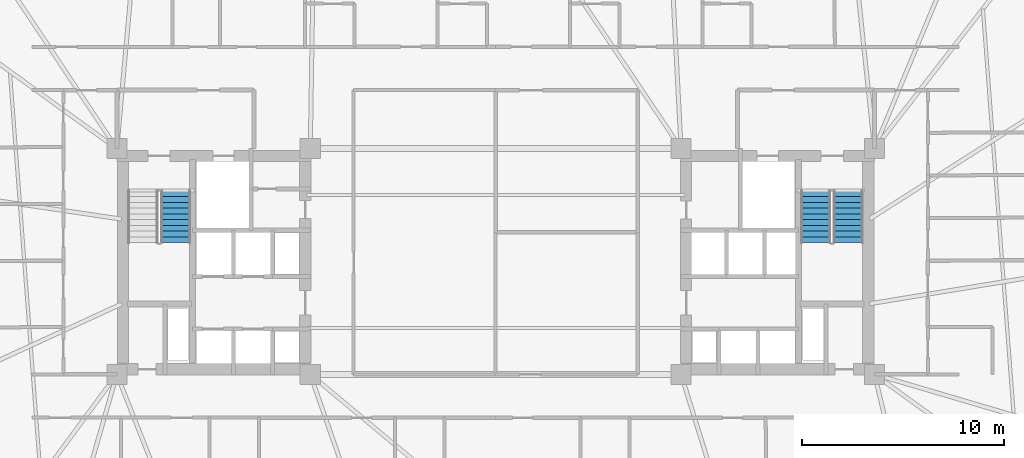
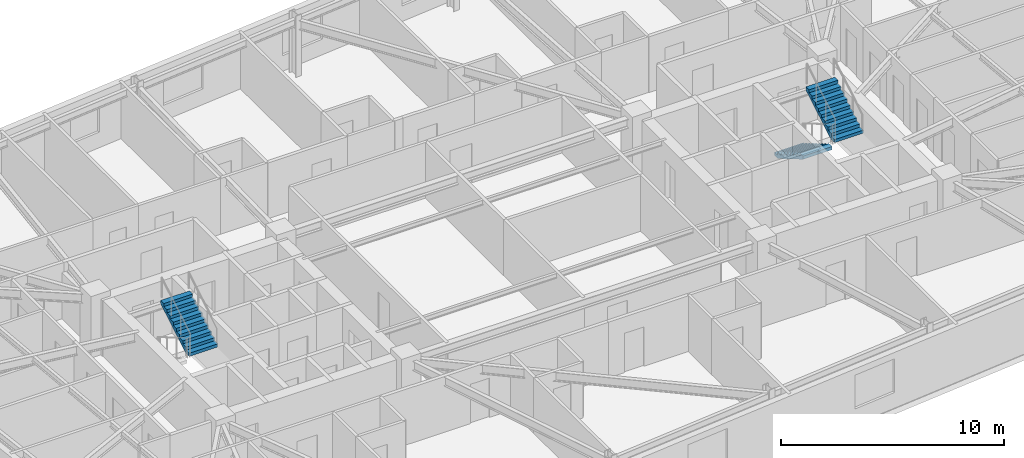
# One storey, part 17 of 19: 3 stair flights, 2 elements without a shape of their own.
"""IFC4 building model written with IfcOpenShell, lengths in metres."""

import ifcopenshell
import ifcopenshell.guid

model = None  # the IFC model being written
_history = None  # IfcOwnerHistory: only IFC2X3 demands one
_inside = {}  # id of a spatial element -> (the spatial element, [elements in it])
_under = {}  # id of a project, library or spatial element -> (it, [spatial elements below it])
_declared = {}  # id of a project -> (the project, [libraries it declares])
_typed = {}  # id of a type object -> (the type object, [elements of that type])
_made_of = {}  # id of a material, layer set ... -> (it, [elements and type objects made of it])


def new_model(schema):
    """Start an empty IFC model of exactly this schema.

    Asked for "IFC4X3", IfcOpenShell would pick the latest addendum, in which some entities
    have other attributes; the version numbers below select the first issue.
    IFC2X3 requires an IfcOwnerHistory on every rooted entity: one is made here for all.
    """
    global model, _history
    if schema == "IFC4X3":
        model = ifcopenshell.file(schema_version=(4, 3, 0, 0))
    else:
        model = ifcopenshell.file(schema=schema)
    _inside.clear()
    _under.clear()
    _declared.clear()
    _typed.clear()
    _made_of.clear()
    _history = None
    if model.schema == "IFC2X3":
        org = make("IfcOrganization", Name="unknown")
        user = make(
            "IfcPersonAndOrganization",
            ThePerson=make("IfcPerson", FamilyName="unknown"),
            TheOrganization=org,
        )
        app = make(
            "IfcApplication",
            ApplicationDeveloper=org,
            Version="unknown",
            ApplicationFullName="unknown",
            ApplicationIdentifier="unknown",
        )
        _history = make(
            "IfcOwnerHistory",
            OwningUser=user,
            OwningApplication=app,
            ChangeAction="ADDED",
            CreationDate=0,
        )
    return model


def make(cls, **values):
    """One entity of the class cls with the attributes given. An attribute that is None is left unset."""
    return model.create_entity(
        cls, **{name: value for name, value in values.items() if value is not None}
    )


def rooted(cls, **values):
    """An entity with a GlobalId (a new one), such as an element, a storey or a relation."""
    return make(cls, GlobalId=ifcopenshell.guid.new(), OwnerHistory=_history, **values)


def si_unit(unit_type, name, prefix=None):
    """IfcSIUnit, for example si_unit("LENGTHUNIT", "METRE", prefix="MILLI")."""
    return make("IfcSIUnit", UnitType=unit_type, Prefix=prefix, Name=name)


def assignment(units):
    """IfcUnitAssignment: the units of a project."""
    return None if units is None else make("IfcUnitAssignment", Units=units)


def point(xyz):
    """IfcCartesianPoint."""
    return None if xyz is None else make("IfcCartesianPoint", Coordinates=xyz)


def direction(xyz):
    """IfcDirection."""
    return None if xyz is None else make("IfcDirection", DirectionRatios=xyz)


def frame(location, z_axis=None, x_axis=None):
    """IfcAxis2Placement3D, a coordinate frame: its origin and axes. An axis left out is left unset."""
    return make(
        "IfcAxis2Placement3D",
        Location=point(location),
        Axis=direction(z_axis),
        RefDirection=direction(x_axis),
    )


def origin():
    """The frame at (0, 0, 0) with its axes left unset."""
    return frame((0.0, 0.0, 0.0))


def place(relative_to, where):
    """IfcLocalPlacement: puts the frame where relative to a parent placement (None: the world)."""
    return make(
        "IfcLocalPlacement", PlacementRelTo=relative_to, RelativePlacement=where
    )


def context(
    kind, dimensions, precision=None, world=None, true_north=None, identifier=None
):
    """IfcGeometricRepresentationContext, for example the 3D "Model" context."""
    return make(
        "IfcGeometricRepresentationContext",
        ContextIdentifier=identifier,
        ContextType=kind,
        CoordinateSpaceDimension=dimensions,
        Precision=precision,
        WorldCoordinateSystem=world,
        TrueNorth=true_north,
    )


def subcontext(parent, identifier, kind, view, scale=None):
    """IfcGeometricRepresentationSubContext, for example "Body" below "Model"."""
    return make(
        "IfcGeometricRepresentationSubContext",
        ContextIdentifier=identifier,
        ContextType=kind,
        ParentContext=parent,
        TargetScale=scale,
        TargetView=view,
    )


def project(units=None, contexts=None):
    """IfcProject with its units and contexts."""
    return rooted(
        "IfcProject",
        Name="project",
        RepresentationContexts=contexts,
        UnitsInContext=assignment(units),
    )


def spatial(cls, under=None, at=None, **own):
    """A site, building, storey or space (cls), placed at a placement, below another one or the project."""
    s = rooted(cls, ObjectPlacement=at, **own)
    if under is not None:
        _under.setdefault(under.id(), (under, []))[1].append(s)
    return s


def polyline(points):
    """IfcPolyline through the points."""
    return make("IfcPolyline", Points=[point(p) for p in points])


def outline(outer, holes=None, kind="AREA"):
    """IfcArbitraryClosedProfileDef: a profile drawn as a closed curve; with holes, ...WithVoids."""
    if holes is None:
        return make("IfcArbitraryClosedProfileDef", ProfileType=kind, OuterCurve=outer)
    return make(
        "IfcArbitraryProfileDefWithVoids",
        ProfileType=kind,
        OuterCurve=outer,
        InnerCurves=holes,
    )


def extrude(swept, where, along, depth):
    """IfcExtrudedAreaSolid: the profile swept, set in the frame where, extruded along a direction by depth."""
    return make(
        "IfcExtrudedAreaSolid",
        SweptArea=swept,
        Position=where,
        ExtrudedDirection=direction(along),
        Depth=depth,
    )


def shape(context_of_items, identifier, shape_type, items):
    """IfcShapeRepresentation: the items that make up one representation, for example the "Body"."""
    return make(
        "IfcShapeRepresentation",
        ContextOfItems=context_of_items,
        RepresentationIdentifier=identifier,
        RepresentationType=shape_type,
        Items=items,
    )


def material(Name=None, Category=None):
    """IfcMaterial."""
    return make("IfcMaterial", Name=Name, Category=Category)


def made_of(thing, what):
    """Note that an element or type object is made of a material, layer set ...; save() writes the relation."""
    if what is not None:
        _made_of.setdefault(what.id(), (what, []))[1].append(thing)
    return thing


def type_object(cls, material=None, **own):
    """A type object (cls), such as IfcWallType, which elements share."""
    return made_of(rooted(cls, **own), material)


def element(
    cls,
    number,
    at=None,
    inside=None,
    cuts=None,
    type_object=None,
    material=None,
    context=None,
    identifier="Body",
    shape_type=None,
    held_by="IfcProductDefinitionShape",
    body=None,
    shapes=None,
    **own,
):
    """One element of the class cls, such as IfcWall. Its Tag is "e" and its number.

    at: its placement. inside: the storey or other place that contains it. cuts: it is an
    opening in that element (IfcRelVoidsElement). A single representation is given by context,
    identifier, shape_type and body (its items); several are given by shapes. held_by: the class
    of the entity that holds the representations. save() writes the other relations.
    """
    e = rooted(cls, Tag="e%d" % number, ObjectPlacement=at, **own)
    if body is not None:
        shapes = [shape(context, identifier, shape_type, body)]
    if shapes is not None:
        e.Representation = make(held_by, Representations=shapes)
    if inside is not None:
        _inside.setdefault(inside.id(), (inside, []))[1].append(e)
    if cuts is not None:
        rooted(
            "IfcRelVoidsElement", RelatingBuildingElement=cuts, RelatedOpeningElement=e
        )
    if type_object is not None:
        _typed.setdefault(type_object.id(), (type_object, []))[1].append(e)
    return made_of(e, material)


def aggregate(whole, parts):
    """IfcRelAggregates: a whole, such as a stair, and the parts it consists of."""
    return rooted("IfcRelAggregates", RelatingObject=whole, RelatedObjects=parts)


def save(model, path):
    """Write the relations noted so far, then the file.

    IfcRelAggregates (storeys below a building ...), IfcRelContainedInSpatialStructure (elements
    in a storey), IfcRelDefinesByType, IfcRelAssociatesMaterial and IfcRelDeclares: one each for
    every whole, place, type object, material and project.
    """
    for whole, parts in _under.values():
        aggregate(whole, parts)
    for where, things in _inside.values():
        rooted(
            "IfcRelContainedInSpatialStructure",
            RelatedElements=things,
            RelatingStructure=where,
        )
    for kind, things in _typed.values():
        rooted("IfcRelDefinesByType", RelatedObjects=things, RelatingType=kind)
    for what, things in _made_of.values():
        rooted("IfcRelAssociatesMaterial", RelatedObjects=things, RelatingMaterial=what)
    for by, libraries in _declared.values():
        rooted("IfcRelDeclares", RelatingContext=by, RelatedDefinitions=libraries)
    model.write(path)


model = new_model("IFC4")

# Units and contexts
model_context = context("Model", 3, precision=1e-05, world=origin(), true_north=direction((0.0, 1.0)))
body_context = subcontext(model_context, "Body", "Model", "MODEL_VIEW")
ifc_project = project(units=[si_unit("LENGTHUNIT", "METRE"), si_unit("AREAUNIT", "SQUARE_METRE"), si_unit("VOLUMEUNIT", "CUBIC_METRE"), si_unit("PLANEANGLEUNIT", "RADIAN"), si_unit("MASSUNIT", "GRAM", prefix="KILO")], contexts=[model_context])

# Site, building, storey
site_placement = place(None, origin())
site = spatial("IfcSite", under=ifc_project, at=site_placement, CompositionType="ELEMENT")
building_placement = place(site_placement, origin())
building = spatial("IfcBuilding", under=site, at=building_placement, Name="Qobustan Lattice House", CompositionType="ELEMENT")
storey_placement = place(building_placement, frame((0.0, 0.0, 85.699951171875)))
storey = spatial("IfcBuildingStorey", under=building, at=storey_placement, Name="L23", CompositionType="ELEMENT", Elevation=85.699951171875)

# Stair, stair flight
ifc_material_1 = material(Name="Concrete C40/50", Category="concrete")
stair_type = type_object("IfcStairType", Name="STR-CORE-DOGLEG", PredefinedType="HALF_TURN_STAIR", material=ifc_material_1)
stair_1_placement = place(storey_placement, origin())
stair_1 = element("IfcStair", 1, at=stair_1_placement, inside=storey, type_object=stair_type, Name="L23 West protected exit stair ST-W1", PredefinedType="HALF_TURN_STAIR")
ifc_material_2 = material(Name="Concrete C40/50", Category="concrete")
stair_flight_type = type_object("IfcStairFlightType", Name="SFL-RC-1500", PredefinedType="STRAIGHT", material=ifc_material_2)
stair_flight_1_placement = place(storey_placement, frame((-15.8798828125, 0.93505859375, 1.675048828125), z_axis=(0.0, 0.0, 1.0), x_axis=(0.0, 1.0, 0.0)))
stair_flight_1 = element("IfcStairFlight", 2, at=stair_flight_1_placement, type_object=stair_flight_type, Name="ST-W1 flight 2", NumberOfRisers=10, NumberOfTreads=9, PredefinedType="STRAIGHT", RiserHeight=0.1675, TreadLength=0.285, context=body_context, shape_type="SweptSolid", body=[
    extrude(outline(polyline([(0.0, 0.0), (0.0, 0.16748046875), (0.284912109375, 0.16748046875), (0.284912109375, 0.3349609375), (0.570068359375, 0.3349609375), (0.570068359375, 0.50244140625), (0.85498046875, 0.50244140625), (0.85498046875, 0.669921875), (1.139892578125, 0.669921875), (1.139892578125, 0.83740234375), (1.425048828125, 0.83740234375), (1.425048828125, 1.0048828125), (1.7099609375, 1.0048828125), (1.7099609375, 1.172607421875), (1.9951171875, 1.172607421875), (1.9951171875, 1.340087890625), (2.280029296875, 1.340087890625), (2.280029296875, 1.507568359375), (2.56494140625, 1.507568359375), (2.56494140625, 1.675048828125), (2.56494140625, 1.333740234375), (0.2958984375, 0.0), (0.0, 0.0)])), frame((0.0, 0.75, 0.0), z_axis=(0.0, -1.0, 0.0), x_axis=(1.0, 0.0, 0.0)), (0.0, 0.0, 1.0), 1.5),
])
aggregate(stair_1, [stair_flight_1])

# Stair, stair flights
stair_2_placement = place(storey_placement, origin())
stair_2 = element("IfcStair", 3, at=stair_2_placement, inside=storey, type_object=stair_type, Name="L23 East protected exit stair ST-E1", PredefinedType="HALF_TURN_STAIR")
stair_flight_2_placement = place(storey_placement, frame((15.8798828125, 3.5, 0.0), z_axis=(0.0, 0.0, 1.0), x_axis=(0.0, -1.0, 0.0)))
stair_flight_2 = element("IfcStairFlight", 4, at=stair_flight_2_placement, type_object=stair_flight_type, Name="ST-E1 flight 1", NumberOfRisers=10, NumberOfTreads=9, PredefinedType="STRAIGHT", RiserHeight=0.1675, TreadLength=0.285, context=body_context, shape_type="SweptSolid", body=[
    extrude(outline(polyline([(0.0, 0.0), (0.0, 0.16748046875), (0.284912109375, 0.16748046875), (0.284912109375, 0.3349609375), (0.570068359375, 0.3349609375), (0.570068359375, 0.50244140625), (0.85498046875, 0.50244140625), (0.85498046875, 0.669921875), (1.139892578125, 0.669921875), (1.139892578125, 0.83740234375), (1.425048828125, 0.83740234375), (1.425048828125, 1.0048828125), (1.7099609375, 1.0048828125), (1.7099609375, 1.172607421875), (1.9951171875, 1.172607421875), (1.9951171875, 1.340087890625), (2.280029296875, 1.340087890625), (2.280029296875, 1.507568359375), (2.56494140625, 1.507568359375), (2.56494140625, 1.675048828125), (2.56494140625, 1.333740234375), (0.2958984375, 0.0), (0.0, 0.0)])), frame((0.0, 0.75, 0.0), z_axis=(0.0, -1.0, 0.0), x_axis=(1.0, 0.0, 0.0)), (0.0, 0.0, 1.0), 1.5),
])
stair_flight_3_placement = place(storey_placement, frame((17.5, 0.93505859375, 1.675048828125), z_axis=(0.0, 0.0, 1.0), x_axis=(0.0, 1.0, 0.0)))
stair_flight_3 = element("IfcStairFlight", 5, at=stair_flight_3_placement, type_object=stair_flight_type, Name="ST-E1 flight 2", NumberOfRisers=10, NumberOfTreads=9, PredefinedType="STRAIGHT", RiserHeight=0.1675, TreadLength=0.285, context=body_context, shape_type="SweptSolid", body=[
    extrude(outline(polyline([(0.0, 0.0), (0.0, 0.16748046875), (0.284912109375, 0.16748046875), (0.284912109375, 0.3349609375), (0.570068359375, 0.3349609375), (0.570068359375, 0.50244140625), (0.85498046875, 0.50244140625), (0.85498046875, 0.669921875), (1.139892578125, 0.669921875), (1.139892578125, 0.83740234375), (1.425048828125, 0.83740234375), (1.425048828125, 1.0048828125), (1.7099609375, 1.0048828125), (1.7099609375, 1.172607421875), (1.9951171875, 1.172607421875), (1.9951171875, 1.340087890625), (2.280029296875, 1.340087890625), (2.280029296875, 1.507568359375), (2.56494140625, 1.507568359375), (2.56494140625, 1.675048828125), (2.56494140625, 1.333740234375), (0.2958984375, 0.0), (0.0, 0.0)])), frame((0.0, 0.75, 0.0), z_axis=(0.0, -1.0, 0.0), x_axis=(1.0, 0.0, 0.0)), (0.0, 0.0, 1.0), 1.5),
])
aggregate(stair_2, [stair_flight_2, stair_flight_3])

save(model, "model.ifc")
